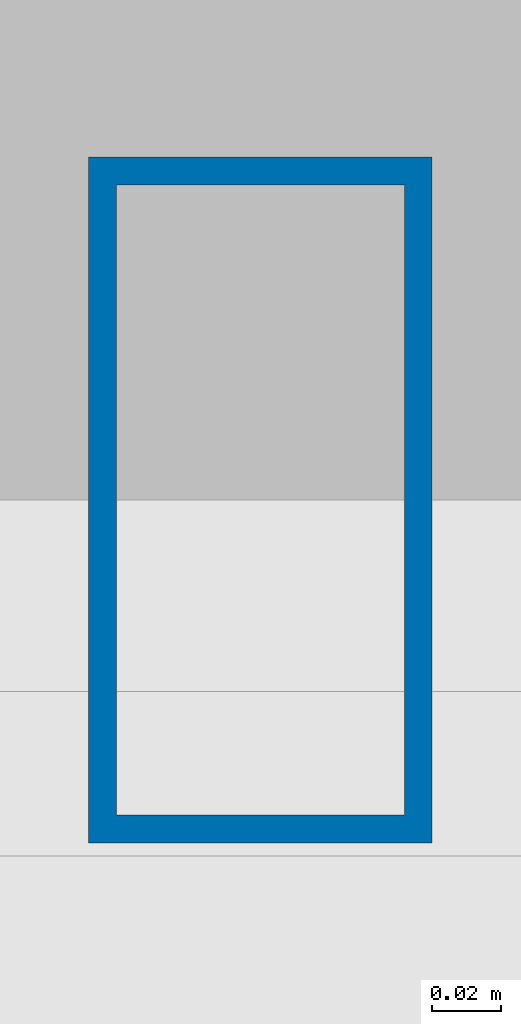
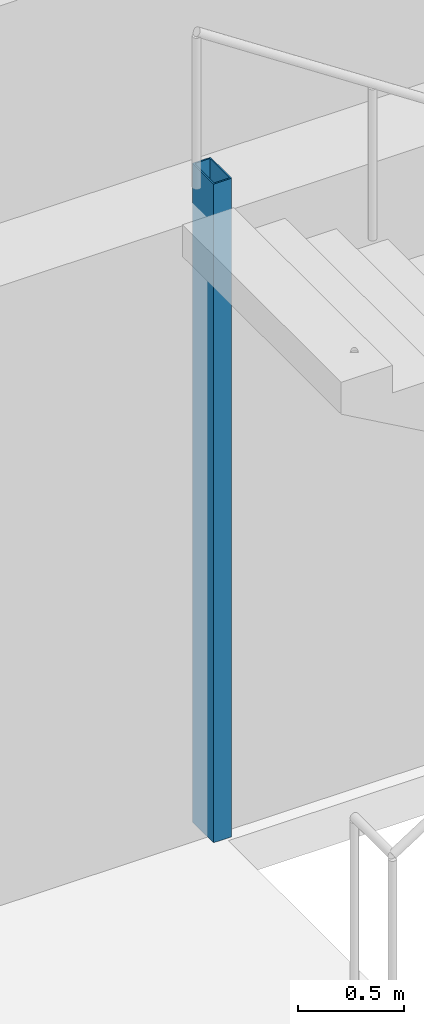
# One storey, part 2 of 17: 1 column.
"""IFC4 building model written with IfcOpenShell, lengths in metres."""

from ifc_helpers import new_model, si_unit, direction, frame, origin, origin_2d, place, context, subcontext, project, spatial, hollow_rectangle, extrude, material, material_profile, profile_set, type_object, element, save


model = new_model("IFC4")

# Units and contexts
model_context = context("Model", 3, precision=1e-05, world=origin(), true_north=direction((0.0, 1.0)))
body_context = subcontext(model_context, "Body", "Model", "MODEL_VIEW")
ifc_project = project(units=[si_unit("LENGTHUNIT", "METRE"), si_unit("AREAUNIT", "SQUARE_METRE"), si_unit("VOLUMEUNIT", "CUBIC_METRE"), si_unit("PLANEANGLEUNIT", "RADIAN"), si_unit("MASSUNIT", "GRAM", prefix="KILO")], contexts=[model_context])

# Site, building, storey
site_placement = place(None, origin())
site = spatial("IfcSite", under=ifc_project, at=site_placement, CompositionType="ELEMENT")
building_placement = place(site_placement, origin())
building = spatial("IfcBuilding", under=site, at=building_placement, Name="Menara Jurai Vektor", CompositionType="ELEMENT")
storey_placement = place(building_placement, frame((0.0, 0.0, 18.0)))
storey = spatial("IfcBuildingStorey", under=building, at=storey_placement, Name="L03", CompositionType="ELEMENT", Elevation=18.0)

# Column
ifc_material = material(Name="Steel S355", Category="steel")
ifc_material_profile = material_profile(ifc_material, hollow_rectangle(XDim=0.10009765625, YDim=0.199951171875, WallThickness=0.008056640625, at=origin_2d()), Name="RHS 200x100x8")
ifc_profile_set = profile_set([ifc_material_profile], Name="Steel S355")
column_type = type_object("IfcColumnType", Name="STR-COL-STAIR", PredefinedType="COLUMN", material=ifc_profile_set)
column_placement = place(storey_placement, frame((-11.1201171875, 5.419921875, 0.0), z_axis=(0.0, 0.0, 1.0), x_axis=(1.0, 0.0, 0.0)))
element("IfcColumn", 1, at=column_placement, inside=storey, type_object=column_type, Name="Stair Well Header Column ST1-P2 L03", PredefinedType="COLUMN", context=body_context, shape_type="SweptSolid", body=[
    extrude(hollow_rectangle(XDim=0.10009765625, YDim=0.199951171875, WallThickness=0.008056640625, at=origin_2d()), origin(), (0.0, 0.0, 1.0), 3.800048828125),
])

save(model, "model.ifc")
